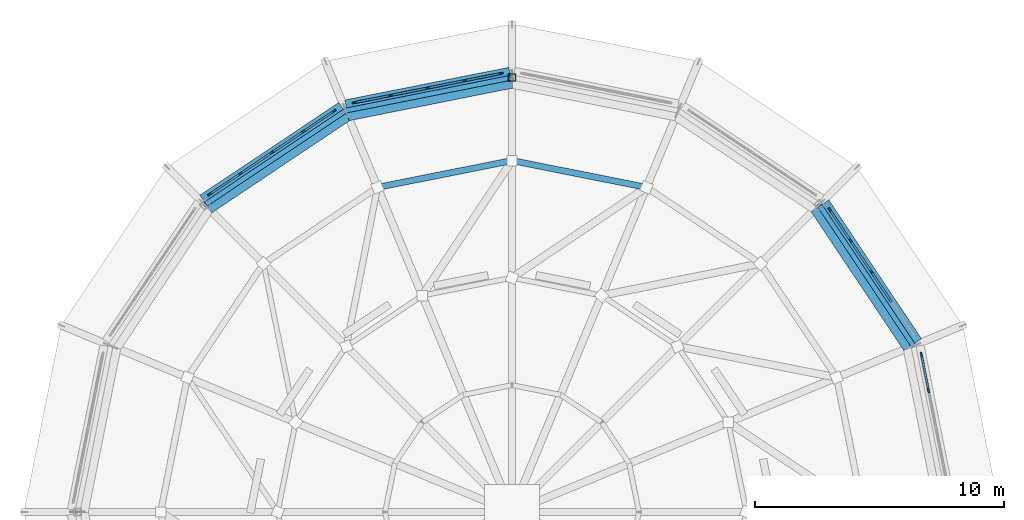
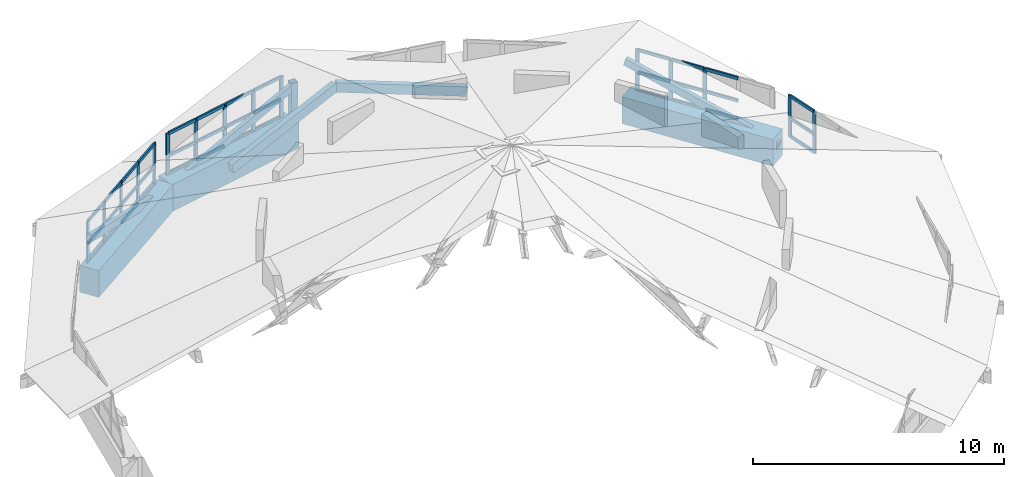
# One storey, part 7 of 18: 57 members, 3 beams, 4 elements without a shape of their own.
"""IFC4 building model written with IfcOpenShell, lengths in metres."""

import ifcopenshell
import ifcopenshell.guid

model = None  # the IFC model being written
_history = None  # IfcOwnerHistory: only IFC2X3 demands one
_inside = {}  # id of a spatial element -> (the spatial element, [elements in it])
_under = {}  # id of a project, library or spatial element -> (it, [spatial elements below it])
_declared = {}  # id of a project -> (the project, [libraries it declares])
_typed = {}  # id of a type object -> (the type object, [elements of that type])
_made_of = {}  # id of a material, layer set ... -> (it, [elements and type objects made of it])


def new_model(schema):
    """Start an empty IFC model of exactly this schema.

    Asked for "IFC4X3", IfcOpenShell would pick the latest addendum, in which some entities
    have other attributes; the version numbers below select the first issue.
    IFC2X3 requires an IfcOwnerHistory on every rooted entity: one is made here for all.
    """
    global model, _history
    if schema == "IFC4X3":
        model = ifcopenshell.file(schema_version=(4, 3, 0, 0))
    else:
        model = ifcopenshell.file(schema=schema)
    _inside.clear()
    _under.clear()
    _declared.clear()
    _typed.clear()
    _made_of.clear()
    _history = None
    if model.schema == "IFC2X3":
        org = make("IfcOrganization", Name="unknown")
        user = make(
            "IfcPersonAndOrganization",
            ThePerson=make("IfcPerson", FamilyName="unknown"),
            TheOrganization=org,
        )
        app = make(
            "IfcApplication",
            ApplicationDeveloper=org,
            Version="unknown",
            ApplicationFullName="unknown",
            ApplicationIdentifier="unknown",
        )
        _history = make(
            "IfcOwnerHistory",
            OwningUser=user,
            OwningApplication=app,
            ChangeAction="ADDED",
            CreationDate=0,
        )
    return model


def make(cls, **values):
    """One entity of the class cls with the attributes given. An attribute that is None is left unset."""
    return model.create_entity(
        cls, **{name: value for name, value in values.items() if value is not None}
    )


def rooted(cls, **values):
    """An entity with a GlobalId (a new one), such as an element, a storey or a relation."""
    return make(cls, GlobalId=ifcopenshell.guid.new(), OwnerHistory=_history, **values)


def si_unit(unit_type, name, prefix=None):
    """IfcSIUnit, for example si_unit("LENGTHUNIT", "METRE", prefix="MILLI")."""
    return make("IfcSIUnit", UnitType=unit_type, Prefix=prefix, Name=name)


def assignment(units):
    """IfcUnitAssignment: the units of a project."""
    return None if units is None else make("IfcUnitAssignment", Units=units)


def point(xyz):
    """IfcCartesianPoint."""
    return None if xyz is None else make("IfcCartesianPoint", Coordinates=xyz)


def direction(xyz):
    """IfcDirection."""
    return None if xyz is None else make("IfcDirection", DirectionRatios=xyz)


def frame(location, z_axis=None, x_axis=None):
    """IfcAxis2Placement3D, a coordinate frame: its origin and axes. An axis left out is left unset."""
    return make(
        "IfcAxis2Placement3D",
        Location=point(location),
        Axis=direction(z_axis),
        RefDirection=direction(x_axis),
    )


def frame_2d(location, x_axis=None):
    """IfcAxis2Placement2D, a coordinate frame in the plane: its origin and x axis."""
    return make(
        "IfcAxis2Placement2D", Location=point(location), RefDirection=direction(x_axis)
    )


def origin():
    """The frame at (0, 0, 0) with its axes left unset."""
    return frame((0.0, 0.0, 0.0))


def origin_2d():
    """The frame at (0, 0) in the plane with its x axis left unset."""
    return frame_2d((0.0, 0.0))


def place(relative_to, where):
    """IfcLocalPlacement: puts the frame where relative to a parent placement (None: the world)."""
    return make(
        "IfcLocalPlacement", PlacementRelTo=relative_to, RelativePlacement=where
    )


def context(
    kind, dimensions, precision=None, world=None, true_north=None, identifier=None
):
    """IfcGeometricRepresentationContext, for example the 3D "Model" context."""
    return make(
        "IfcGeometricRepresentationContext",
        ContextIdentifier=identifier,
        ContextType=kind,
        CoordinateSpaceDimension=dimensions,
        Precision=precision,
        WorldCoordinateSystem=world,
        TrueNorth=true_north,
    )


def subcontext(parent, identifier, kind, view, scale=None):
    """IfcGeometricRepresentationSubContext, for example "Body" below "Model"."""
    return make(
        "IfcGeometricRepresentationSubContext",
        ContextIdentifier=identifier,
        ContextType=kind,
        ParentContext=parent,
        TargetScale=scale,
        TargetView=view,
    )


def project(units=None, contexts=None):
    """IfcProject with its units and contexts."""
    return rooted(
        "IfcProject",
        Name="project",
        RepresentationContexts=contexts,
        UnitsInContext=assignment(units),
    )


def spatial(cls, under=None, at=None, **own):
    """A site, building, storey or space (cls), placed at a placement, below another one or the project."""
    s = rooted(cls, ObjectPlacement=at, **own)
    if under is not None:
        _under.setdefault(under.id(), (under, []))[1].append(s)
    return s


def profile(cls, at=None, kind="AREA", **sizes):
    """A parametric profile (cls). Its sizes go by their IFC names, for example OverallWidth=200.0."""
    return make(cls, ProfileType=kind, Position=at, **sizes)


def rectangle(**sizes):
    """IfcRectangleProfileDef."""
    return profile("IfcRectangleProfileDef", **sizes)


def hollow_rectangle(**sizes):
    """IfcRectangleHollowProfileDef."""
    return profile("IfcRectangleHollowProfileDef", **sizes)


def extrude(swept, where, along, depth):
    """IfcExtrudedAreaSolid: the profile swept, set in the frame where, extruded along a direction by depth."""
    return make(
        "IfcExtrudedAreaSolid",
        SweptArea=swept,
        Position=where,
        ExtrudedDirection=direction(along),
        Depth=depth,
    )


def shape(context_of_items, identifier, shape_type, items):
    """IfcShapeRepresentation: the items that make up one representation, for example the "Body"."""
    return make(
        "IfcShapeRepresentation",
        ContextOfItems=context_of_items,
        RepresentationIdentifier=identifier,
        RepresentationType=shape_type,
        Items=items,
    )


def material(Name=None, Category=None):
    """IfcMaterial."""
    return make("IfcMaterial", Name=Name, Category=Category)


def material_profile(
    of_material, cross_section, Name=None, Category=None, Priority=None
):
    """IfcMaterialProfile: a cross section and its material."""
    return make(
        "IfcMaterialProfile",
        Name=Name,
        Material=of_material,
        Profile=cross_section,
        Priority=Priority,
        Category=Category,
    )


def profile_set(profiles, Name=None, composite=None):
    """IfcMaterialProfileSet."""
    return make(
        "IfcMaterialProfileSet",
        Name=Name,
        MaterialProfiles=profiles,
        CompositeProfile=composite,
    )


def made_of(thing, what):
    """Note that an element or type object is made of a material, layer set ...; save() writes the relation."""
    if what is not None:
        _made_of.setdefault(what.id(), (what, []))[1].append(thing)
    return thing


def type_object(cls, material=None, **own):
    """A type object (cls), such as IfcWallType, which elements share."""
    return made_of(rooted(cls, **own), material)


def element(
    cls,
    number,
    at=None,
    inside=None,
    cuts=None,
    type_object=None,
    material=None,
    context=None,
    identifier="Body",
    shape_type=None,
    held_by="IfcProductDefinitionShape",
    body=None,
    shapes=None,
    **own,
):
    """One element of the class cls, such as IfcWall. Its Tag is "e" and its number.

    at: its placement. inside: the storey or other place that contains it. cuts: it is an
    opening in that element (IfcRelVoidsElement). A single representation is given by context,
    identifier, shape_type and body (its items); several are given by shapes. held_by: the class
    of the entity that holds the representations. save() writes the other relations.
    """
    e = rooted(cls, Tag="e%d" % number, ObjectPlacement=at, **own)
    if body is not None:
        shapes = [shape(context, identifier, shape_type, body)]
    if shapes is not None:
        e.Representation = make(held_by, Representations=shapes)
    if inside is not None:
        _inside.setdefault(inside.id(), (inside, []))[1].append(e)
    if cuts is not None:
        rooted(
            "IfcRelVoidsElement", RelatingBuildingElement=cuts, RelatedOpeningElement=e
        )
    if type_object is not None:
        _typed.setdefault(type_object.id(), (type_object, []))[1].append(e)
    return made_of(e, material)


def aggregate(whole, parts):
    """IfcRelAggregates: a whole, such as a stair, and the parts it consists of."""
    return rooted("IfcRelAggregates", RelatingObject=whole, RelatedObjects=parts)


def save(model, path):
    """Write the relations noted so far, then the file.

    IfcRelAggregates (storeys below a building ...), IfcRelContainedInSpatialStructure (elements
    in a storey), IfcRelDefinesByType, IfcRelAssociatesMaterial and IfcRelDeclares: one each for
    every whole, place, type object, material and project.
    """
    for whole, parts in _under.values():
        aggregate(whole, parts)
    for where, things in _inside.values():
        rooted(
            "IfcRelContainedInSpatialStructure",
            RelatedElements=things,
            RelatingStructure=where,
        )
    for kind, things in _typed.values():
        rooted("IfcRelDefinesByType", RelatedObjects=things, RelatingType=kind)
    for what, things in _made_of.values():
        rooted("IfcRelAssociatesMaterial", RelatedObjects=things, RelatingMaterial=what)
    for by, libraries in _declared.values():
        rooted("IfcRelDeclares", RelatingContext=by, RelatedDefinitions=libraries)
    model.write(path)


model = new_model("IFC4")

# Units and contexts
model_context = context("Model", 3, precision=1e-05, world=origin(), true_north=direction((0.0, 1.0)))
body_context = subcontext(model_context, "Body", "Model", "MODEL_VIEW")
ifc_project = project(units=[si_unit("LENGTHUNIT", "METRE"), si_unit("AREAUNIT", "SQUARE_METRE"), si_unit("VOLUMEUNIT", "CUBIC_METRE"), si_unit("PLANEANGLEUNIT", "RADIAN"), si_unit("MASSUNIT", "GRAM", prefix="KILO")], contexts=[model_context])

# Site, building, storey
site_placement = place(None, origin())
site = spatial("IfcSite", under=ifc_project, at=site_placement, CompositionType="ELEMENT")
building_placement = place(site_placement, origin())
building = spatial("IfcBuilding", under=site, at=building_placement, Name="Soyqirgoq Riverine Aquarium", CompositionType="ELEMENT")
storey_placement = place(building_placement, frame((0.0, 0.0, 29.39990234375)))
storey = spatial("IfcBuildingStorey", under=building, at=storey_placement, Name="RF", CompositionType="ELEMENT", Elevation=29.39990234375)

# Curtain wall, members
ifc_material_1 = material(Name="Anodised aluminium acoustic solar-control clerestory glazing", Category="aluminium")
curtain_wall_type = type_object("IfcCurtainWallType", Name="CW_Clerestory_Ring", PredefinedType="NOTDEFINED", material=ifc_material_1)
curtain_wall_1_placement = place(storey_placement, origin())
curtain_wall_1 = element("IfcCurtainWall", 1, at=curtain_wall_1_placement, inside=storey, type_object=curtain_wall_type, Name="V1 RF Curtain Wall 007", PredefinedType="NOTDEFINED")
ifc_material_2 = material(Name="Anodised aluminium 6063-T6", Category="aluminium")
ifc_material_profile_1 = material_profile(ifc_material_2, rectangle(XDim=0.06494140625, YDim=0.179931640625, at=origin_2d()), Name="ALU-M 65x180")
ifc_profile_set_1 = profile_set([ifc_material_profile_1], Name="Anodised aluminium 6063-T6")
member_type_1 = type_object("IfcMemberType", Name="CWMullion_65x180", PredefinedType="MULLION", material=ifc_profile_set_1)
member_1_placement = place(storey_placement, frame((72.73046875, 61.874267578125, -0.02001953125), z_axis=(0.0, 0.0, 1.0), x_axis=(-0.980784299821, -0.19509525167, 0.0)))
member_1 = element("IfcMember", 2, at=member_1_placement, type_object=member_type_1, Name="CW-02 mullion 4", PredefinedType="MULLION", context=body_context, shape_type="SweptSolid", body=[
    extrude(rectangle(XDim=0.06494140625, YDim=0.179931640625, at=origin_2d()), origin(), (0.0, 0.0, 1.0), 2.0400390625),
])
member_2_placement = place(storey_placement, frame((72.44091796875, 63.329833984375, -0.02001953125), z_axis=(0.0, 0.0, 1.0), x_axis=(-0.980784299821, -0.19509525167, 0.0)))
member_2 = element("IfcMember", 3, at=member_2_placement, type_object=member_type_1, Name="CW-02 mullion 5", PredefinedType="MULLION", context=body_context, shape_type="SweptSolid", body=[
    extrude(rectangle(XDim=0.06494140625, YDim=0.179931640625, at=origin_2d()), origin(), (0.0, 0.0, 1.0), 2.0400390625),
])

curtain_wall_2_placement = place(storey_placement, origin())
curtain_wall_2 = element("IfcCurtainWall", 4, at=curtain_wall_2_placement, inside=storey, type_object=curtain_wall_type, Name="V1 RF Curtain Wall 009", PredefinedType="NOTDEFINED")
member_3_placement = place(storey_placement, frame((70.434326171875, 66.64453125, -0.02001953125), z_axis=(0.0, 0.0, 1.0), x_axis=(-0.831463994905, -0.555578639957, 0.0)))
member_3 = element("IfcMember", 5, at=member_3_placement, type_object=member_type_1, Name="CW-02 mullion 3", PredefinedType="MULLION", context=body_context, shape_type="SweptSolid", body=[
    extrude(rectangle(XDim=0.06494140625, YDim=0.179931640625, at=origin_2d()), origin(), (0.0, 0.0, 1.0), 2.0400390625),
])
member_4_placement = place(storey_placement, frame((69.591796875, 67.905517578125, -0.02001953125), z_axis=(0.0, 0.0, 1.0), x_axis=(-0.831463994905, -0.555578639957, 0.0)))
member_4 = element("IfcMember", 6, at=member_4_placement, type_object=member_type_1, Name="CW-02 mullion 4", PredefinedType="MULLION", context=body_context, shape_type="SweptSolid", body=[
    extrude(rectangle(XDim=0.06494140625, YDim=0.179931640625, at=origin_2d()), origin(), (0.0, 0.0, 1.0), 2.0400390625),
])
member_5_placement = place(storey_placement, frame((68.76708984375, 69.1396484375, -0.02001953125), z_axis=(0.0, 0.0, 1.0), x_axis=(-0.831463994905, -0.555578639957, 0.0)))
member_5 = element("IfcMember", 7, at=member_5_placement, type_object=member_type_1, Name="CW-02 mullion 5", PredefinedType="MULLION", context=body_context, shape_type="SweptSolid", body=[
    extrude(rectangle(XDim=0.06494140625, YDim=0.179931640625, at=origin_2d()), origin(), (0.0, 0.0, 1.0), 2.0400390625),
])

curtain_wall_3_placement = place(storey_placement, origin())
curtain_wall_3 = element("IfcCurtainWall", 8, at=curtain_wall_3_placement, inside=storey, type_object=curtain_wall_type, Name="V1 RF Curtain Wall 020", PredefinedType="NOTDEFINED")
member_6_placement = place(storey_placement, frame((55.55615234375, 74.61181640625, -0.02001953125), z_axis=(0.0, 0.0, 1.0), x_axis=(0.19509525167, -0.980784299821, 0.0)))
member_6 = element("IfcMember", 9, at=member_6_placement, type_object=member_type_1, Name="CW-02 mullion 1", PredefinedType="MULLION", context=body_context, shape_type="SweptSolid", body=[
    extrude(rectangle(XDim=0.06494140625, YDim=0.179931640625, at=origin_2d()), origin(), (0.0, 0.0, 1.0), 2.0400390625),
])
member_7_placement = place(storey_placement, frame((54.1005859375, 74.322265625, -0.02001953125), z_axis=(0.0, 0.0, 1.0), x_axis=(0.19509525167, -0.980784299821, 0.0)))
member_7 = element("IfcMember", 10, at=member_7_placement, type_object=member_type_1, Name="CW-02 mullion 2", PredefinedType="MULLION", context=body_context, shape_type="SweptSolid", body=[
    extrude(rectangle(XDim=0.06494140625, YDim=0.179931640625, at=origin_2d()), origin(), (0.0, 0.0, 1.0), 2.0400390625),
])
member_8_placement = place(storey_placement, frame((52.61328125, 74.0263671875, -0.02001953125), z_axis=(0.0, 0.0, 1.0), x_axis=(0.19509525167, -0.980784299821, 0.0)))
member_8 = element("IfcMember", 11, at=member_8_placement, type_object=member_type_1, Name="CW-02 mullion 3", PredefinedType="MULLION", context=body_context, shape_type="SweptSolid", body=[
    extrude(rectangle(XDim=0.06494140625, YDim=0.179931640625, at=origin_2d()), origin(), (0.0, 0.0, 1.0), 2.0400390625),
])
member_9_placement = place(storey_placement, frame((51.125732421875, 73.73046875, -0.02001953125), z_axis=(0.0, 0.0, 1.0), x_axis=(0.19509525167, -0.980784299821, 0.0)))
member_9 = element("IfcMember", 12, at=member_9_placement, type_object=member_type_1, Name="CW-02 mullion 4", PredefinedType="MULLION", context=body_context, shape_type="SweptSolid", body=[
    extrude(rectangle(XDim=0.06494140625, YDim=0.179931640625, at=origin_2d()), origin(), (0.0, 0.0, 1.0), 2.0400390625),
])
member_10_placement = place(storey_placement, frame((49.670166015625, 73.44091796875, -0.02001953125), z_axis=(0.0, 0.0, 1.0), x_axis=(0.19509525167, -0.980784299821, 0.0)))
member_10 = element("IfcMember", 13, at=member_10_placement, type_object=member_type_1, Name="CW-02 mullion 5", PredefinedType="MULLION", context=body_context, shape_type="SweptSolid", body=[
    extrude(rectangle(XDim=0.06494140625, YDim=0.179931640625, at=origin_2d()), origin(), (0.0, 0.0, 1.0), 2.0400390625),
])

curtain_wall_4_placement = place(storey_placement, origin())
curtain_wall_4 = element("IfcCurtainWall", 14, at=curtain_wall_4_placement, inside=storey, type_object=curtain_wall_type, Name="V1 RF Curtain Wall 022", PredefinedType="NOTDEFINED")
member_11_placement = place(storey_placement, frame((48.850341796875, 73.101318359375, -0.02001953125), z_axis=(0.0, 0.0, 1.0), x_axis=(0.555578639957, -0.831463994905, 0.0)))
member_11 = element("IfcMember", 15, at=member_11_placement, type_object=member_type_1, Name="CW-02 mullion 1", PredefinedType="MULLION", context=body_context, shape_type="SweptSolid", body=[
    extrude(rectangle(XDim=0.06494140625, YDim=0.179931640625, at=origin_2d()), origin(), (0.0, 0.0, 1.0), 2.0400390625),
])
member_12_placement = place(storey_placement, frame((47.6162109375, 72.27685546875, -0.02001953125), z_axis=(0.0, 0.0, 1.0), x_axis=(0.555578639957, -0.831463994905, 0.0)))
member_12 = element("IfcMember", 16, at=member_12_placement, type_object=member_type_1, Name="CW-02 mullion 2", PredefinedType="MULLION", context=body_context, shape_type="SweptSolid", body=[
    extrude(rectangle(XDim=0.06494140625, YDim=0.179931640625, at=origin_2d()), origin(), (0.0, 0.0, 1.0), 2.0400390625),
])
member_13_placement = place(storey_placement, frame((46.35546875, 71.434326171875, -0.02001953125), z_axis=(0.0, 0.0, 1.0), x_axis=(0.555578639957, -0.831463994905, 0.0)))
member_13 = element("IfcMember", 17, at=member_13_placement, type_object=member_type_1, Name="CW-02 mullion 3", PredefinedType="MULLION", context=body_context, shape_type="SweptSolid", body=[
    extrude(rectangle(XDim=0.06494140625, YDim=0.179931640625, at=origin_2d()), origin(), (0.0, 0.0, 1.0), 2.0400390625),
])
member_14_placement = place(storey_placement, frame((45.094482421875, 70.591796875, -0.02001953125), z_axis=(0.0, 0.0, 1.0), x_axis=(0.555578639957, -0.831463994905, 0.0)))
member_14 = element("IfcMember", 18, at=member_14_placement, type_object=member_type_1, Name="CW-02 mullion 4", PredefinedType="MULLION", context=body_context, shape_type="SweptSolid", body=[
    extrude(rectangle(XDim=0.06494140625, YDim=0.179931640625, at=origin_2d()), origin(), (0.0, 0.0, 1.0), 2.0400390625),
])
member_15_placement = place(storey_placement, frame((43.8603515625, 69.76708984375, -0.02001953125), z_axis=(0.0, 0.0, 1.0), x_axis=(0.555578639957, -0.831463994905, 0.0)))
member_15 = element("IfcMember", 19, at=member_15_placement, type_object=member_type_1, Name="CW-02 mullion 5", PredefinedType="MULLION", context=body_context, shape_type="SweptSolid", body=[
    extrude(rectangle(XDim=0.06494140625, YDim=0.179931640625, at=origin_2d()), origin(), (0.0, 0.0, 1.0), 2.0400390625),
])

# Member
ifc_material_3 = material(Name="Anodised aluminium 6063-T6", Category="aluminium")
ifc_material_profile_2 = material_profile(ifc_material_3, rectangle(XDim=0.074951171875, YDim=0.14990234375, at=origin_2d()), Name="ALU-T 75x150")
ifc_profile_set_2 = profile_set([ifc_material_profile_2], Name="Anodised aluminium 6063-T6")
member_type_2 = type_object("IfcMemberType", Name="CWTransom_75x150", PredefinedType="USERDEFINED", material=ifc_profile_set_2)
member_16_placement = place(storey_placement, frame((72.72412109375, 61.906005859375, 0.017578125), z_axis=(-0.195090420246, 0.980785260864, 0.0), x_axis=(-0.980785260864, -0.195090420246, 0.0)))
member_16 = element("IfcMember", 20, at=member_16_placement, type_object=member_type_2, Name="CW-02 transom 4.1", ObjectType="TRANSOM", PredefinedType="USERDEFINED", context=body_context, shape_type="SweptSolid", body=[
    extrude(rectangle(XDim=0.074951171875, YDim=0.14990234375, at=origin_2d()), origin(), (0.0, 0.0, 1.0), 1.419189453125),
])

member_17_placement = place(storey_placement, frame((72.72412109375, 61.906005859375, 0.898193359375), z_axis=(-0.195090420246, 0.980785260864, 0.0), x_axis=(-0.980785260864, -0.195090420246, 0.0)))
member_17 = element("IfcMember", 21, at=member_17_placement, type_object=member_type_2, Name="CW-02 transom 4.2", ObjectType="TRANSOM", PredefinedType="USERDEFINED", context=body_context, shape_type="SweptSolid", body=[
    extrude(rectangle(XDim=0.074951171875, YDim=0.14990234375, at=origin_2d()), origin(), (0.0, 0.0, 1.0), 1.419189453125),
])

member_18_placement = place(storey_placement, frame((72.72412109375, 61.906005859375, 1.982666015625), z_axis=(-0.195090420246, 0.980785260864, 0.0), x_axis=(-0.980785260864, -0.195090420246, 0.0)))
member_18 = element("IfcMember", 22, at=member_18_placement, type_object=member_type_2, Name="CW-02 transom 4.3", ObjectType="TRANSOM", PredefinedType="USERDEFINED", context=body_context, shape_type="SweptSolid", body=[
    extrude(rectangle(XDim=0.074951171875, YDim=0.14990234375, at=origin_2d()), origin(), (0.0, 0.0, 1.0), 1.419189453125),
])

aggregate(curtain_wall_1, [member_1, member_2, member_16, member_17, member_18])

member_19_placement = place(storey_placement, frame((71.2587890625, 65.41064453125, 0.017578125), z_axis=(-0.555514980368, 0.831506528289, 0.0), x_axis=(-0.831506528289, -0.555514980368, 0.0)))
member_19 = element("IfcMember", 23, at=member_19_placement, type_object=member_type_2, Name="CW-02 transom 2.1", ObjectType="TRANSOM", PredefinedType="USERDEFINED", context=body_context, shape_type="SweptSolid", body=[
    extrude(rectangle(XDim=0.074951171875, YDim=0.14990234375, at=origin_2d()), origin(), (0.0, 0.0, 1.0), 1.45166015625),
])

member_20_placement = place(storey_placement, frame((71.2587890625, 65.41064453125, 0.898193359375), z_axis=(-0.555514980368, 0.831506528289, 0.0), x_axis=(-0.831506528289, -0.555514980368, 0.0)))
member_20 = element("IfcMember", 24, at=member_20_placement, type_object=member_type_2, Name="CW-02 transom 2.2", ObjectType="TRANSOM", PredefinedType="USERDEFINED", context=body_context, shape_type="SweptSolid", body=[
    extrude(rectangle(XDim=0.074951171875, YDim=0.14990234375, at=origin_2d()), origin(), (0.0, 0.0, 1.0), 1.45166015625),
])

member_21_placement = place(storey_placement, frame((71.2587890625, 65.41064453125, 1.982666015625), z_axis=(-0.555514980368, 0.831506528289, 0.0), x_axis=(-0.831506528289, -0.555514980368, 0.0)))
member_21 = element("IfcMember", 25, at=member_21_placement, type_object=member_type_2, Name="CW-02 transom 2.3", ObjectType="TRANSOM", PredefinedType="USERDEFINED", context=body_context, shape_type="SweptSolid", body=[
    extrude(rectangle(XDim=0.074951171875, YDim=0.14990234375, at=origin_2d()), origin(), (0.0, 0.0, 1.0), 1.45166015625),
])

member_22_placement = place(storey_placement, frame((70.416259765625, 66.671630859375, 0.017578125), z_axis=(-0.555631247688, 0.831428840366, 0.0), x_axis=(-0.831428840366, -0.555631247688, 0.0)))
member_22 = element("IfcMember", 26, at=member_22_placement, type_object=member_type_2, Name="CW-02 transom 3.1", ObjectType="TRANSOM", PredefinedType="USERDEFINED", context=body_context, shape_type="SweptSolid", body=[
    extrude(rectangle(XDim=0.074951171875, YDim=0.14990234375, at=origin_2d()), origin(), (0.0, 0.0, 1.0), 1.45166015625),
])

member_23_placement = place(storey_placement, frame((70.416259765625, 66.671630859375, 0.898193359375), z_axis=(-0.555631247688, 0.831428840366, 0.0), x_axis=(-0.831428840366, -0.555631247688, 0.0)))
member_23 = element("IfcMember", 27, at=member_23_placement, type_object=member_type_2, Name="CW-02 transom 3.2", ObjectType="TRANSOM", PredefinedType="USERDEFINED", context=body_context, shape_type="SweptSolid", body=[
    extrude(rectangle(XDim=0.074951171875, YDim=0.14990234375, at=origin_2d()), origin(), (0.0, 0.0, 1.0), 1.45166015625),
])

member_24_placement = place(storey_placement, frame((70.416259765625, 66.671630859375, 1.982666015625), z_axis=(-0.555631247688, 0.831428840366, 0.0), x_axis=(-0.831428840366, -0.555631247688, 0.0)))
member_24 = element("IfcMember", 28, at=member_24_placement, type_object=member_type_2, Name="CW-02 transom 3.3", ObjectType="TRANSOM", PredefinedType="USERDEFINED", context=body_context, shape_type="SweptSolid", body=[
    extrude(rectangle(XDim=0.074951171875, YDim=0.14990234375, at=origin_2d()), origin(), (0.0, 0.0, 1.0), 1.45166015625),
])

member_25_placement = place(storey_placement, frame((69.57373046875, 67.9326171875, 0.017578125), z_axis=(-0.555652606731, 0.831414566046, 0.0), x_axis=(-0.831414566046, -0.555652606731, 0.0)))
member_25 = element("IfcMember", 29, at=member_25_placement, type_object=member_type_2, Name="CW-02 transom 4.1", ObjectType="TRANSOM", PredefinedType="USERDEFINED", context=body_context, shape_type="SweptSolid", body=[
    extrude(rectangle(XDim=0.074951171875, YDim=0.14990234375, at=origin_2d()), origin(), (0.0, 0.0, 1.0), 1.419189453125),
])

member_26_placement = place(storey_placement, frame((69.57373046875, 67.9326171875, 0.898193359375), z_axis=(-0.555652606731, 0.831414566046, 0.0), x_axis=(-0.831414566046, -0.555652606731, 0.0)))
member_26 = element("IfcMember", 30, at=member_26_placement, type_object=member_type_2, Name="CW-02 transom 4.2", ObjectType="TRANSOM", PredefinedType="USERDEFINED", context=body_context, shape_type="SweptSolid", body=[
    extrude(rectangle(XDim=0.074951171875, YDim=0.14990234375, at=origin_2d()), origin(), (0.0, 0.0, 1.0), 1.419189453125),
])

member_27_placement = place(storey_placement, frame((69.57373046875, 67.9326171875, 1.982666015625), z_axis=(-0.555652606731, 0.831414566046, 0.0), x_axis=(-0.831414566046, -0.555652606731, 0.0)))
member_27 = element("IfcMember", 31, at=member_27_placement, type_object=member_type_2, Name="CW-02 transom 4.3", ObjectType="TRANSOM", PredefinedType="USERDEFINED", context=body_context, shape_type="SweptSolid", body=[
    extrude(rectangle(XDim=0.074951171875, YDim=0.14990234375, at=origin_2d()), origin(), (0.0, 0.0, 1.0), 1.419189453125),
])

aggregate(curtain_wall_2, [member_3, member_4, member_5, member_19, member_20, member_21, member_22, member_23, member_24, member_25, member_26, member_27])

member_28_placement = place(storey_placement, frame((55.5244140625, 74.60546875, 0.017578125), z_axis=(-0.980785260864, -0.195090420246, 0.0), x_axis=(0.195090420246, -0.980785260864, 0.0)))
member_28 = element("IfcMember", 32, at=member_28_placement, type_object=member_type_2, Name="CW-02 transom 1.1", ObjectType="TRANSOM", PredefinedType="USERDEFINED", context=body_context, shape_type="SweptSolid", body=[
    extrude(rectangle(XDim=0.074951171875, YDim=0.14990234375, at=origin_2d()), origin(), (0.0, 0.0, 1.0), 1.419189453125),
])

member_29_placement = place(storey_placement, frame((55.5244140625, 74.60546875, 0.898193359375), z_axis=(-0.980785260864, -0.195090420246, 0.0), x_axis=(0.195090420246, -0.980785260864, 0.0)))
member_29 = element("IfcMember", 33, at=member_29_placement, type_object=member_type_2, Name="CW-02 transom 1.2", ObjectType="TRANSOM", PredefinedType="USERDEFINED", context=body_context, shape_type="SweptSolid", body=[
    extrude(rectangle(XDim=0.074951171875, YDim=0.14990234375, at=origin_2d()), origin(), (0.0, 0.0, 1.0), 1.419189453125),
])

member_30_placement = place(storey_placement, frame((55.5244140625, 74.60546875, 1.982666015625), z_axis=(-0.980785260864, -0.195090420246, 0.0), x_axis=(0.195090420246, -0.980785260864, 0.0)))
member_30 = element("IfcMember", 34, at=member_30_placement, type_object=member_type_2, Name="CW-02 transom 1.3", ObjectType="TRANSOM", PredefinedType="USERDEFINED", context=body_context, shape_type="SweptSolid", body=[
    extrude(rectangle(XDim=0.074951171875, YDim=0.14990234375, at=origin_2d()), origin(), (0.0, 0.0, 1.0), 1.419189453125),
])

member_31_placement = place(storey_placement, frame((54.06884765625, 74.31591796875, 0.017578125), z_axis=(-0.980787112176, -0.195081112847, 0.0), x_axis=(0.195081112847, -0.980787112176, 0.0)))
member_31 = element("IfcMember", 35, at=member_31_placement, type_object=member_type_2, Name="CW-02 transom 2.1", ObjectType="TRANSOM", PredefinedType="USERDEFINED", context=body_context, shape_type="SweptSolid", body=[
    extrude(rectangle(XDim=0.074951171875, YDim=0.14990234375, at=origin_2d()), origin(), (0.0, 0.0, 1.0), 1.45166015625),
])

member_32_placement = place(storey_placement, frame((54.06884765625, 74.31591796875, 0.898193359375), z_axis=(-0.980787112176, -0.195081112847, 0.0), x_axis=(0.195081112847, -0.980787112176, 0.0)))
member_32 = element("IfcMember", 36, at=member_32_placement, type_object=member_type_2, Name="CW-02 transom 2.2", ObjectType="TRANSOM", PredefinedType="USERDEFINED", context=body_context, shape_type="SweptSolid", body=[
    extrude(rectangle(XDim=0.074951171875, YDim=0.14990234375, at=origin_2d()), origin(), (0.0, 0.0, 1.0), 1.45166015625),
])

member_33_placement = place(storey_placement, frame((54.06884765625, 74.31591796875, 1.982666015625), z_axis=(-0.980787112176, -0.195081112847, 0.0), x_axis=(0.195081112847, -0.980787112176, 0.0)))
member_33 = element("IfcMember", 37, at=member_33_placement, type_object=member_type_2, Name="CW-02 transom 2.3", ObjectType="TRANSOM", PredefinedType="USERDEFINED", context=body_context, shape_type="SweptSolid", body=[
    extrude(rectangle(XDim=0.074951171875, YDim=0.14990234375, at=origin_2d()), origin(), (0.0, 0.0, 1.0), 1.45166015625),
])

member_34_placement = place(storey_placement, frame((52.581298828125, 74.02001953125, 0.017578125), z_axis=(-0.980780710478, -0.195113295173, 0.0), x_axis=(0.195113295173, -0.980780710478, 0.0)))
member_34 = element("IfcMember", 38, at=member_34_placement, type_object=member_type_2, Name="CW-02 transom 3.1", ObjectType="TRANSOM", PredefinedType="USERDEFINED", context=body_context, shape_type="SweptSolid", body=[
    extrude(rectangle(XDim=0.074951171875, YDim=0.14990234375, at=origin_2d()), origin(), (0.0, 0.0, 1.0), 1.451416015625),
])

member_35_placement = place(storey_placement, frame((52.581298828125, 74.02001953125, 0.898193359375), z_axis=(-0.980780710478, -0.195113295173, 0.0), x_axis=(0.195113295173, -0.980780710478, 0.0)))
member_35 = element("IfcMember", 39, at=member_35_placement, type_object=member_type_2, Name="CW-02 transom 3.2", ObjectType="TRANSOM", PredefinedType="USERDEFINED", context=body_context, shape_type="SweptSolid", body=[
    extrude(rectangle(XDim=0.074951171875, YDim=0.14990234375, at=origin_2d()), origin(), (0.0, 0.0, 1.0), 1.451416015625),
])

member_36_placement = place(storey_placement, frame((52.581298828125, 74.02001953125, 1.982666015625), z_axis=(-0.980780710478, -0.195113295173, 0.0), x_axis=(0.195113295173, -0.980780710478, 0.0)))
member_36 = element("IfcMember", 40, at=member_36_placement, type_object=member_type_2, Name="CW-02 transom 3.3", ObjectType="TRANSOM", PredefinedType="USERDEFINED", context=body_context, shape_type="SweptSolid", body=[
    extrude(rectangle(XDim=0.074951171875, YDim=0.14990234375, at=origin_2d()), origin(), (0.0, 0.0, 1.0), 1.451416015625),
])

member_37_placement = place(storey_placement, frame((51.093994140625, 73.72412109375, 0.017578125), z_axis=(-0.980785260864, -0.195090420246, 0.0), x_axis=(0.195090420246, -0.980785260864, 0.0)))
member_37 = element("IfcMember", 41, at=member_37_placement, type_object=member_type_2, Name="CW-02 transom 4.1", ObjectType="TRANSOM", PredefinedType="USERDEFINED", context=body_context, shape_type="SweptSolid", body=[
    extrude(rectangle(XDim=0.074951171875, YDim=0.14990234375, at=origin_2d()), origin(), (0.0, 0.0, 1.0), 1.419189453125),
])

member_38_placement = place(storey_placement, frame((51.093994140625, 73.72412109375, 0.898193359375), z_axis=(-0.980785260864, -0.195090420246, 0.0), x_axis=(0.195090420246, -0.980785260864, 0.0)))
member_38 = element("IfcMember", 42, at=member_38_placement, type_object=member_type_2, Name="CW-02 transom 4.2", ObjectType="TRANSOM", PredefinedType="USERDEFINED", context=body_context, shape_type="SweptSolid", body=[
    extrude(rectangle(XDim=0.074951171875, YDim=0.14990234375, at=origin_2d()), origin(), (0.0, 0.0, 1.0), 1.419189453125),
])

member_39_placement = place(storey_placement, frame((51.093994140625, 73.72412109375, 1.982666015625), z_axis=(-0.980785260864, -0.195090420246, 0.0), x_axis=(0.195090420246, -0.980785260864, 0.0)))
member_39 = element("IfcMember", 43, at=member_39_placement, type_object=member_type_2, Name="CW-02 transom 4.3", ObjectType="TRANSOM", PredefinedType="USERDEFINED", context=body_context, shape_type="SweptSolid", body=[
    extrude(rectangle(XDim=0.074951171875, YDim=0.14990234375, at=origin_2d()), origin(), (0.0, 0.0, 1.0), 1.419189453125),
])

aggregate(curtain_wall_3, [member_6, member_7, member_8, member_9, member_10, member_28, member_29, member_30, member_31, member_32, member_33, member_34, member_35, member_36, member_37, member_38, member_39])

member_40_placement = place(storey_placement, frame((48.8232421875, 73.083251953125, 0.017578125), z_axis=(-0.831494038542, -0.55553367483, 0.0), x_axis=(0.55553367483, -0.831494038542, 0.0)))
member_40 = element("IfcMember", 44, at=member_40_placement, type_object=member_type_2, Name="CW-02 transom 1.1", ObjectType="TRANSOM", PredefinedType="USERDEFINED", context=body_context, shape_type="SweptSolid", body=[
    extrude(rectangle(XDim=0.074951171875, YDim=0.14990234375, at=origin_2d()), origin(), (0.0, 0.0, 1.0), 1.4189453125),
])

member_41_placement = place(storey_placement, frame((48.8232421875, 73.083251953125, 0.898193359375), z_axis=(-0.831494038542, -0.55553367483, 0.0), x_axis=(0.55553367483, -0.831494038542, 0.0)))
member_41 = element("IfcMember", 45, at=member_41_placement, type_object=member_type_2, Name="CW-02 transom 1.2", ObjectType="TRANSOM", PredefinedType="USERDEFINED", context=body_context, shape_type="SweptSolid", body=[
    extrude(rectangle(XDim=0.074951171875, YDim=0.14990234375, at=origin_2d()), origin(), (0.0, 0.0, 1.0), 1.4189453125),
])

member_42_placement = place(storey_placement, frame((48.8232421875, 73.083251953125, 1.982666015625), z_axis=(-0.831494038542, -0.55553367483, 0.0), x_axis=(0.55553367483, -0.831494038542, 0.0)))
member_42 = element("IfcMember", 46, at=member_42_placement, type_object=member_type_2, Name="CW-02 transom 1.3", ObjectType="TRANSOM", PredefinedType="USERDEFINED", context=body_context, shape_type="SweptSolid", body=[
    extrude(rectangle(XDim=0.074951171875, YDim=0.14990234375, at=origin_2d()), origin(), (0.0, 0.0, 1.0), 1.4189453125),
])

member_43_placement = place(storey_placement, frame((47.58935546875, 72.2587890625, 0.017578125), z_axis=(-0.831506528289, -0.555514980368, 0.0), x_axis=(0.555514980368, -0.831506528289, 0.0)))
member_43 = element("IfcMember", 47, at=member_43_placement, type_object=member_type_2, Name="CW-02 transom 2.1", ObjectType="TRANSOM", PredefinedType="USERDEFINED", context=body_context, shape_type="SweptSolid", body=[
    extrude(rectangle(XDim=0.074951171875, YDim=0.14990234375, at=origin_2d()), origin(), (0.0, 0.0, 1.0), 1.45166015625),
])

member_44_placement = place(storey_placement, frame((47.58935546875, 72.2587890625, 0.898193359375), z_axis=(-0.831506528289, -0.555514980368, 0.0), x_axis=(0.555514980368, -0.831506528289, 0.0)))
member_44 = element("IfcMember", 48, at=member_44_placement, type_object=member_type_2, Name="CW-02 transom 2.2", ObjectType="TRANSOM", PredefinedType="USERDEFINED", context=body_context, shape_type="SweptSolid", body=[
    extrude(rectangle(XDim=0.074951171875, YDim=0.14990234375, at=origin_2d()), origin(), (0.0, 0.0, 1.0), 1.45166015625),
])

member_45_placement = place(storey_placement, frame((47.58935546875, 72.2587890625, 1.982666015625), z_axis=(-0.831506528289, -0.555514980368, 0.0), x_axis=(0.555514980368, -0.831506528289, 0.0)))
member_45 = element("IfcMember", 49, at=member_45_placement, type_object=member_type_2, Name="CW-02 transom 2.3", ObjectType="TRANSOM", PredefinedType="USERDEFINED", context=body_context, shape_type="SweptSolid", body=[
    extrude(rectangle(XDim=0.074951171875, YDim=0.14990234375, at=origin_2d()), origin(), (0.0, 0.0, 1.0), 1.45166015625),
])

member_46_placement = place(storey_placement, frame((46.328369140625, 71.416259765625, 0.017578125), z_axis=(-0.831428840366, -0.555631247688, 0.0), x_axis=(0.555631247688, -0.831428840366, 0.0)))
member_46 = element("IfcMember", 50, at=member_46_placement, type_object=member_type_2, Name="CW-02 transom 3.1", ObjectType="TRANSOM", PredefinedType="USERDEFINED", context=body_context, shape_type="SweptSolid", body=[
    extrude(rectangle(XDim=0.074951171875, YDim=0.14990234375, at=origin_2d()), origin(), (0.0, 0.0, 1.0), 1.45166015625),
])

member_47_placement = place(storey_placement, frame((46.328369140625, 71.416259765625, 0.898193359375), z_axis=(-0.831428840366, -0.555631247688, 0.0), x_axis=(0.555631247688, -0.831428840366, 0.0)))
member_47 = element("IfcMember", 51, at=member_47_placement, type_object=member_type_2, Name="CW-02 transom 3.2", ObjectType="TRANSOM", PredefinedType="USERDEFINED", context=body_context, shape_type="SweptSolid", body=[
    extrude(rectangle(XDim=0.074951171875, YDim=0.14990234375, at=origin_2d()), origin(), (0.0, 0.0, 1.0), 1.45166015625),
])

member_48_placement = place(storey_placement, frame((46.328369140625, 71.416259765625, 1.982666015625), z_axis=(-0.831428840366, -0.555631247688, 0.0), x_axis=(0.555631247688, -0.831428840366, 0.0)))
member_48 = element("IfcMember", 52, at=member_48_placement, type_object=member_type_2, Name="CW-02 transom 3.3", ObjectType="TRANSOM", PredefinedType="USERDEFINED", context=body_context, shape_type="SweptSolid", body=[
    extrude(rectangle(XDim=0.074951171875, YDim=0.14990234375, at=origin_2d()), origin(), (0.0, 0.0, 1.0), 1.45166015625),
])

member_49_placement = place(storey_placement, frame((45.0673828125, 70.57373046875, 0.017578125), z_axis=(-0.831414566046, -0.555652606731, 0.0), x_axis=(0.555652606731, -0.831414566046, 0.0)))
member_49 = element("IfcMember", 53, at=member_49_placement, type_object=member_type_2, Name="CW-02 transom 4.1", ObjectType="TRANSOM", PredefinedType="USERDEFINED", context=body_context, shape_type="SweptSolid", body=[
    extrude(rectangle(XDim=0.074951171875, YDim=0.14990234375, at=origin_2d()), origin(), (0.0, 0.0, 1.0), 1.419189453125),
])

member_50_placement = place(storey_placement, frame((45.0673828125, 70.57373046875, 0.898193359375), z_axis=(-0.831414566046, -0.555652606731, 0.0), x_axis=(0.555652606731, -0.831414566046, 0.0)))
member_50 = element("IfcMember", 54, at=member_50_placement, type_object=member_type_2, Name="CW-02 transom 4.2", ObjectType="TRANSOM", PredefinedType="USERDEFINED", context=body_context, shape_type="SweptSolid", body=[
    extrude(rectangle(XDim=0.074951171875, YDim=0.14990234375, at=origin_2d()), origin(), (0.0, 0.0, 1.0), 1.419189453125),
])

member_51_placement = place(storey_placement, frame((45.0673828125, 70.57373046875, 1.982666015625), z_axis=(-0.831414566046, -0.555652606731, 0.0), x_axis=(0.555652606731, -0.831414566046, 0.0)))
member_51 = element("IfcMember", 55, at=member_51_placement, type_object=member_type_2, Name="CW-02 transom 4.3", ObjectType="TRANSOM", PredefinedType="USERDEFINED", context=body_context, shape_type="SweptSolid", body=[
    extrude(rectangle(XDim=0.074951171875, YDim=0.14990234375, at=origin_2d()), origin(), (0.0, 0.0, 1.0), 1.419189453125),
])

aggregate(curtain_wall_4, [member_11, member_12, member_13, member_14, member_15, member_40, member_41, member_42, member_43, member_44, member_45, member_46, member_47, member_48, member_49, member_50, member_51])

# Members
ifc_material_4 = material(Name="Structural steel S355", Category="steel")
ifc_material_profile_3 = material_profile(ifc_material_4, hollow_rectangle(XDim=0.199951171875, YDim=0.35009765625, WallThickness=0.012451171875, at=origin_2d()), Name="RHS 350x200x12.5")
ifc_profile_set_3 = profile_set([ifc_material_profile_3], Name="Structural steel S355")
member_type_3 = type_object("IfcMemberType", Name="GableChord_RHS350x200", PredefinedType="CHORD", material=ifc_profile_set_3)
member_52_placement = place(storey_placement, frame((72.12158203125, 63.677734375, -0.52001953125), z_axis=(-0.533015890105, 0.797786450374, 0.281834775172), x_axis=(-0.831492708817, -0.555535665087, 0.0)))
element("IfcMember", 56, at=member_52_placement, inside=storey, type_object=member_type_3, Name="V1 Folded-Plate Gable Edge Chord 02", PredefinedType="CHORD", context=body_context, shape_type="SweptSolid", body=[
    extrude(hollow_rectangle(XDim=0.199951171875, YDim=0.35009765625, WallThickness=0.012451171875, at=origin_2d()), origin(), (0.0, 0.0, 1.0), 7.096435546875),
])
member_53_placement = place(storey_placement, frame((56.0, 74.449951171875, 1.47998046875), z_axis=(-0.941023577126, -0.187193232054, -0.281839176068), x_axis=(0.195102357575, -0.980782886305, 0.0)))
element("IfcMember", 57, at=member_53_placement, inside=storey, type_object=member_type_3, Name="V1 Folded-Plate Gable Edge Chord 05", PredefinedType="CHORD", context=body_context, shape_type="SweptSolid", body=[
    extrude(hollow_rectangle(XDim=0.199951171875, YDim=0.35009765625, WallThickness=0.012451171875, at=origin_2d()), origin(), (0.0, 0.0, 1.0), 7.09619140625),
])
member_54_placement = place(storey_placement, frame((49.322265625, 73.12158203125, -0.52001953125), z_axis=(-0.797786450374, -0.533015890105, 0.281834775172), x_axis=(0.555535665087, -0.831492708817, 0.0)))
element("IfcMember", 58, at=member_54_placement, inside=storey, type_object=member_type_3, Name="V1 Folded-Plate Gable Edge Chord 06", PredefinedType="CHORD", context=body_context, shape_type="SweptSolid", body=[
    extrude(hollow_rectangle(XDim=0.199951171875, YDim=0.35009765625, WallThickness=0.012451171875, at=origin_2d()), origin(), (0.0, 0.0, 1.0), 7.096435546875),
])

# Beams
ifc_material_5 = material(Name="Concrete C40/50", Category="concrete")
ifc_material_profile_4 = material_profile(ifc_material_5, rectangle(XDim=0.85009765625, YDim=1.300048828125, at=origin_2d()), Name="RC 850x1300")
ifc_profile_set_4 = profile_set([ifc_material_profile_4], Name="Concrete C40/50")
beam_type = type_object("IfcBeamType", Name="Girder_RC_850x1300", PredefinedType="BEAM", material=ifc_profile_set_4)
beam_1_placement = place(storey_placement, frame((72.093994140625, 63.719482421875, -0.64990234375), z_axis=(-0.555598478126, 0.831450738832, 0.0), x_axis=(-0.831450738832, -0.555598478126, 0.0)))
element("IfcBeam", 59, at=beam_1_placement, inside=storey, type_object=beam_type, Name="V1 RF Folded-Plate Compression Ring Girder 0155", PredefinedType="BEAM", context=body_context, shape_type="SweptSolid", body=[
    extrude(rectangle(XDim=0.85009765625, YDim=1.300048828125, at=origin_2d()), origin(), (0.0, 0.0, 1.0), 6.70849609375),
])
beam_2_placement = place(storey_placement, frame((55.950927734375, 74.440185546875, -0.64990234375), z_axis=(-0.980791457792, -0.195059263618, 0.0), x_axis=(0.195059263618, -0.980791457792, 0.0)))
element("IfcBeam", 60, at=beam_2_placement, inside=storey, type_object=beam_type, Name="V1 RF Folded-Plate Compression Ring Girder 0158", PredefinedType="BEAM", context=body_context, shape_type="SweptSolid", body=[
    extrude(rectangle(XDim=0.85009765625, YDim=1.300048828125, at=origin_2d()), origin(), (0.0, 0.0, 1.0), 6.708740234375),
])
beam_3_placement = place(storey_placement, frame((49.280517578125, 73.093994140625, -0.64990234375), z_axis=(-0.831450738832, -0.555598478126, 0.0), x_axis=(0.555598478126, -0.831450738832, 0.0)))
element("IfcBeam", 61, at=beam_3_placement, inside=storey, type_object=beam_type, Name="V1 RF Folded-Plate Compression Ring Girder 0159", PredefinedType="BEAM", context=body_context, shape_type="SweptSolid", body=[
    extrude(rectangle(XDim=0.85009765625, YDim=1.300048828125, at=origin_2d()), origin(), (0.0, 0.0, 1.0), 6.70849609375),
])

# Members
ifc_material_6 = material(Name="Structural steel S355", Category="steel")
ifc_material_profile_5 = material_profile(ifc_material_6, hollow_rectangle(XDim=0.25, YDim=0.449951171875, WallThickness=0.01611328125, at=origin_2d()), Name="RHS 450x250x16")
ifc_profile_set_5 = profile_set([ifc_material_profile_5], Name="Structural steel S355")
member_type_4 = type_object("IfcMemberType", Name="RingChord_RHS450x250", PredefinedType="CHORD", material=ifc_profile_set_5)
for number, where, z_axis, x_axis, name in (
    (62, (61.400390625, 70.037841796875, 2.05615234375), (-0.94887499158, 0.188745477529, 0.253004733288), (-0.195092814307, -0.980784784652, 0.0), "V1 Folded-Plate Circumferential Ring Chord 0077"),
    (63, (56.0, 71.112060546875, 3.49609375), (-0.94887499158, -0.188745477529, -0.253004733288), (0.195092814307, -0.980784784652, 0.0), "V1 Folded-Plate Circumferential Ring Chord 0082"),
):
    element("IfcMember", number, at=place(storey_placement, frame(where, z_axis=z_axis, x_axis=x_axis)), inside=storey, type_object=member_type_4, Name=name, PredefinedType="CHORD", context=body_context, shape_type="SweptSolid", body=[
        extrude(hollow_rectangle(XDim=0.25, YDim=0.449951171875, WallThickness=0.01611328125, at=origin_2d()), origin(), (0.0, 0.0, 1.0), 5.69140625),
    ])
ifc_material_7 = material(Name="Structural steel S355", Category="steel")
ifc_material_profile_6 = material_profile(ifc_material_7, hollow_rectangle(XDim=0.300048828125, YDim=0.300048828125, WallThickness=0.01611328125, at=origin_2d()), Name="SHS 300x300x16")
ifc_profile_set_6 = profile_set([ifc_material_profile_6], Name="Structural steel S355")
member_type_5 = type_object("IfcMemberType", Name="Strut_SHS300", PredefinedType="POST", material=ifc_profile_set_6)
member_55_placement = place(storey_placement, frame((56.0, 74.449951171875, -0.0498046875), z_axis=(0.0, 0.0, 1.0), x_axis=(0.0, 1.0, 0.0)))
element("IfcMember", 64, at=member_55_placement, inside=storey, type_object=member_type_5, Name="V1 Folded-Plate Ridge Post 04", PredefinedType="POST", context=body_context, shape_type="SweptSolid", body=[
    extrude(hollow_rectangle(XDim=0.300048828125, YDim=0.300048828125, WallThickness=0.01611328125, at=origin_2d()), origin(), (0.0, 0.0, 1.0), 1.75),
])

save(model, "model.ifc")
